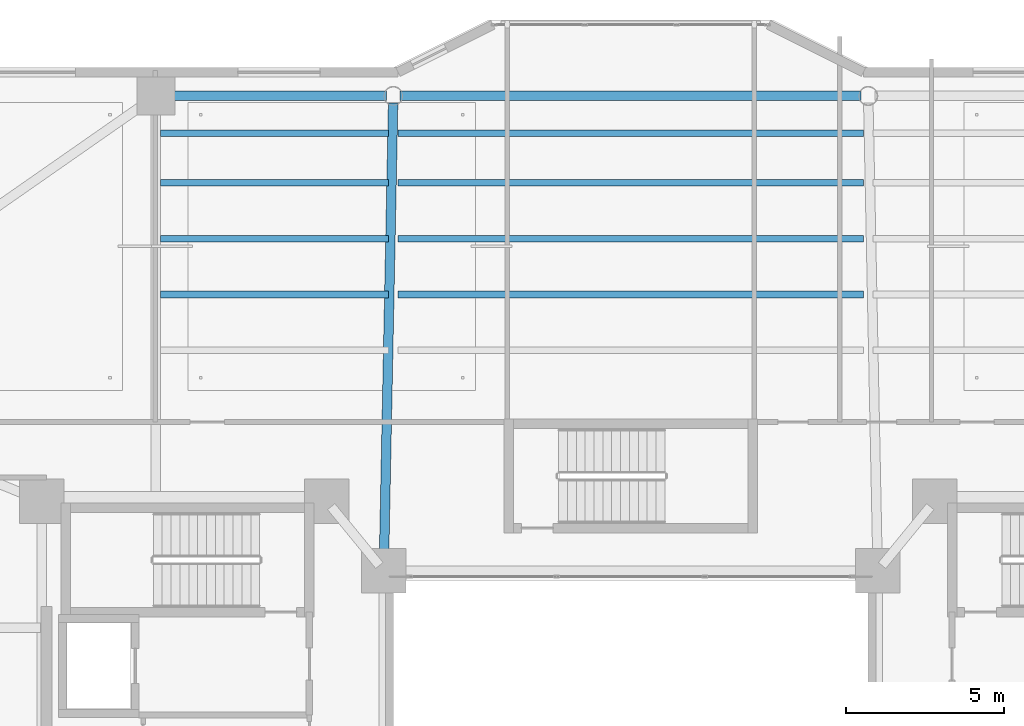
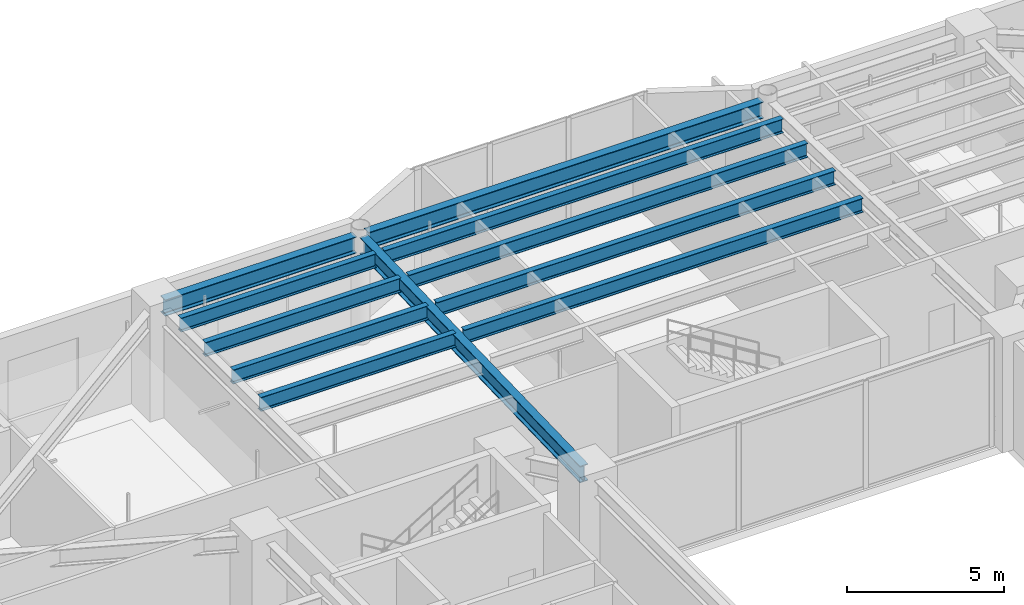
# One storey, part 22 of 39: 11 beams.
"""IFC4 building model written with IfcOpenShell, lengths in metres."""

from ifc_helpers import new_model, si_unit, direction, frame, origin, origin_2d, place, context, subcontext, project, spatial, i_section, extrude, material, material_profile, profile_set, type_object, element, save


model = new_model("IFC4")

# Units and contexts
model_context = context("Model", 3, precision=1e-05, world=origin(), true_north=direction((0.0, 1.0)))
body_context = subcontext(model_context, "Body", "Model", "MODEL_VIEW")
ifc_project = project(units=[si_unit("LENGTHUNIT", "METRE"), si_unit("AREAUNIT", "SQUARE_METRE"), si_unit("VOLUMEUNIT", "CUBIC_METRE"), si_unit("PLANEANGLEUNIT", "RADIAN"), si_unit("MASSUNIT", "GRAM", prefix="KILO")], contexts=[model_context])

# Site, building, storey
site_placement = place(None, origin())
site = spatial("IfcSite", under=ifc_project, at=site_placement, CompositionType="ELEMENT")
building_placement = place(site_placement, origin())
building = spatial("IfcBuilding", under=site, at=building_placement, Name="Tarnavaz Court Tower", CompositionType="ELEMENT")
storey_placement = place(building_placement, frame((0.0, 0.0, 68.699951171875)))
storey = spatial("IfcBuildingStorey", under=building, at=storey_placement, Name="L18", CompositionType="ELEMENT", Elevation=68.699951171875)

# Beams
ifc_material = material(Name="Steel S355", Category="steel")
ifc_material_profile_1 = material_profile(ifc_material, i_section(OverallWidth=0.300048828125, OverallDepth=0.64990234375, WebThickness=0.01611328125, FlangeThickness=0.031005859375, FilletRadius=0.027099609375, at=origin_2d()), Name="HEB 650")
ifc_profile_set_1 = profile_set([ifc_material_profile_1], Name="Steel S355")
beam_type_1 = type_object("IfcBeamType", Name="BM-G-HEB650", PredefinedType="USERDEFINED", material=ifc_profile_set_1)
beam_1_placement = place(storey_placement, frame((-7.795654296875, 8.02001953125, 3.875), z_axis=(0.020000023066, 0.999799979535, 0.0), x_axis=(-0.999799979535, 0.020000023066, 0.0)))
element("IfcBeam", 1, at=beam_1_placement, inside=storey, type_object=beam_type_1, Name="L18 Beam RG-02", ObjectType="GIRDER", PredefinedType="USERDEFINED", context=body_context, shape_type="SweptSolid", body=[
    extrude(i_section(OverallWidth=0.300048828125, OverallDepth=0.64990234375, WebThickness=0.01611328125, FlangeThickness=0.031005859375, FilletRadius=0.027099609375, at=origin_2d()), origin(), (0.0, 0.0, 1.0), 14.56298828125),
])
ifc_material_profile_2 = material_profile(ifc_material, i_section(OverallWidth=0.2099609375, OverallDepth=0.550048828125, WebThickness=0.010986328125, FlangeThickness=0.01708984375, FilletRadius=0.02392578125, at=origin_2d()), Name="IPE 550")
ifc_profile_set_2 = profile_set([ifc_material_profile_2], Name="Steel S355")
beam_type_2 = type_object("IfcBeamType", Name="BM-J-IPE550", PredefinedType="JOIST", material=ifc_profile_set_2)
beam_2_placement = place(storey_placement, frame((-14.85009765625, 16.528076171875, 3.925048828125), z_axis=(1.0, 0.0, 0.0), x_axis=(0.0, 1.0, 0.0)))
element("IfcBeam", 2, at=beam_2_placement, inside=storey, type_object=beam_type_2, Name="L18 Beam JN2-1", PredefinedType="JOIST", context=body_context, shape_type="SweptSolid", body=[
    extrude(i_section(OverallWidth=0.2099609375, OverallDepth=0.550048828125, WebThickness=0.010986328125, FlangeThickness=0.01708984375, FilletRadius=0.02392578125, at=origin_2d()), origin(), (0.0, 0.0, 1.0), 7.2001953125),
])
beam_3_placement = place(storey_placement, frame((-7.35009765625, 16.528076171875, 3.925048828125), z_axis=(1.0, 0.0, 0.0), x_axis=(0.0, 1.0, 0.0)))
element("IfcBeam", 3, at=beam_3_placement, inside=storey, type_object=beam_type_2, Name="L18 Beam JN2-2", PredefinedType="JOIST", context=body_context, shape_type="SweptSolid", body=[
    extrude(i_section(OverallWidth=0.2099609375, OverallDepth=0.550048828125, WebThickness=0.010986328125, FlangeThickness=0.01708984375, FilletRadius=0.02392578125, at=origin_2d()), origin(), (0.0, 0.0, 1.0), 14.7001953125),
])
beam_4_placement = place(storey_placement, frame((-14.85009765625, 18.2919921875, 3.925048828125), z_axis=(1.0, 0.0, 0.0), x_axis=(0.0, 1.0, 0.0)))
element("IfcBeam", 4, at=beam_4_placement, inside=storey, type_object=beam_type_2, Name="L18 Beam JN3-1", PredefinedType="JOIST", context=body_context, shape_type="SweptSolid", body=[
    extrude(i_section(OverallWidth=0.2099609375, OverallDepth=0.550048828125, WebThickness=0.010986328125, FlangeThickness=0.01708984375, FilletRadius=0.02392578125, at=origin_2d()), origin(), (0.0, 0.0, 1.0), 7.2001953125),
])
beam_5_placement = place(storey_placement, frame((-7.35009765625, 18.2919921875, 3.925048828125), z_axis=(1.0, 0.0, 0.0), x_axis=(0.0, 1.0, 0.0)))
element("IfcBeam", 5, at=beam_5_placement, inside=storey, type_object=beam_type_2, Name="L18 Beam JN3-2", PredefinedType="JOIST", context=body_context, shape_type="SweptSolid", body=[
    extrude(i_section(OverallWidth=0.2099609375, OverallDepth=0.550048828125, WebThickness=0.010986328125, FlangeThickness=0.01708984375, FilletRadius=0.02392578125, at=origin_2d()), origin(), (0.0, 0.0, 1.0), 14.7001953125),
])
beam_6_placement = place(storey_placement, frame((-14.85009765625, 20.055908203125, 3.925048828125), z_axis=(1.0, 0.0, 0.0), x_axis=(0.0, 1.0, 0.0)))
element("IfcBeam", 6, at=beam_6_placement, inside=storey, type_object=beam_type_2, Name="L18 Beam JN4-1", PredefinedType="JOIST", context=body_context, shape_type="SweptSolid", body=[
    extrude(i_section(OverallWidth=0.2099609375, OverallDepth=0.550048828125, WebThickness=0.010986328125, FlangeThickness=0.01708984375, FilletRadius=0.02392578125, at=origin_2d()), origin(), (0.0, 0.0, 1.0), 7.2001953125),
])
beam_7_placement = place(storey_placement, frame((-7.35009765625, 20.055908203125, 3.925048828125), z_axis=(1.0, 0.0, 0.0), x_axis=(0.0, 1.0, 0.0)))
element("IfcBeam", 7, at=beam_7_placement, inside=storey, type_object=beam_type_2, Name="L18 Beam JN4-2", PredefinedType="JOIST", context=body_context, shape_type="SweptSolid", body=[
    extrude(i_section(OverallWidth=0.2099609375, OverallDepth=0.550048828125, WebThickness=0.010986328125, FlangeThickness=0.01708984375, FilletRadius=0.02392578125, at=origin_2d()), origin(), (0.0, 0.0, 1.0), 14.7001953125),
])
beam_8_placement = place(storey_placement, frame((-14.85009765625, 21.6240234375, 3.925048828125), z_axis=(1.0, 0.0, 0.0), x_axis=(0.0, 1.0, 0.0)))
element("IfcBeam", 8, at=beam_8_placement, inside=storey, type_object=beam_type_2, Name="L18 Beam JN5-1", PredefinedType="JOIST", context=body_context, shape_type="SweptSolid", body=[
    extrude(i_section(OverallWidth=0.2099609375, OverallDepth=0.550048828125, WebThickness=0.010986328125, FlangeThickness=0.01708984375, FilletRadius=0.02392578125, at=origin_2d()), origin(), (0.0, 0.0, 1.0), 7.2001953125),
])
beam_9_placement = place(storey_placement, frame((-7.35009765625, 21.6240234375, 3.925048828125), z_axis=(1.0, 0.0, 0.0), x_axis=(0.0, 1.0, 0.0)))
element("IfcBeam", 9, at=beam_9_placement, inside=storey, type_object=beam_type_2, Name="L18 Beam JN5-2", PredefinedType="JOIST", context=body_context, shape_type="SweptSolid", body=[
    extrude(i_section(OverallWidth=0.2099609375, OverallDepth=0.550048828125, WebThickness=0.010986328125, FlangeThickness=0.01708984375, FilletRadius=0.02392578125, at=origin_2d()), origin(), (0.0, 0.0, 1.0), 14.7001953125),
])
ifc_material_profile_3 = material_profile(ifc_material, i_section(OverallWidth=0.300048828125, OverallDepth=0.639892578125, WebThickness=0.013427734375, FlangeThickness=0.02587890625, FilletRadius=0.027099609375, at=origin_2d()), Name="HEA 650")
ifc_profile_set_3 = profile_set([ifc_material_profile_3], Name="Steel S355")
beam_type_3 = type_object("IfcBeamType", Name="BM-SP-HEA650", PredefinedType="SPANDREL", material=ifc_profile_set_3)
beam_10_placement = place(storey_placement, frame((-14.780029296875, 22.800048828125, 3.880126953125), z_axis=(1.0, 0.0, 0.0), x_axis=(0.0, 1.0, 0.0)))
element("IfcBeam", 10, at=beam_10_placement, inside=storey, type_object=beam_type_3, Name="L18 Beam PR-PN-1-PN-2", PredefinedType="SPANDREL", context=body_context, shape_type="SweptSolid", body=[
    extrude(i_section(OverallWidth=0.300048828125, OverallDepth=0.639892578125, WebThickness=0.013427734375, FlangeThickness=0.02587890625, FilletRadius=0.027099609375, at=origin_2d()), origin(), (0.0, 0.0, 1.0), 7.06005859375),
])
beam_11_placement = place(storey_placement, frame((-7.280029296875, 22.800048828125, 3.880126953125), z_axis=(1.0, 0.0, 0.0), x_axis=(0.0, 1.0, 0.0)))
element("IfcBeam", 11, at=beam_11_placement, inside=storey, type_object=beam_type_3, Name="L18 Beam PR-PN-2-PN-3", PredefinedType="SPANDREL", context=body_context, shape_type="SweptSolid", body=[
    extrude(i_section(OverallWidth=0.300048828125, OverallDepth=0.639892578125, WebThickness=0.013427734375, FlangeThickness=0.02587890625, FilletRadius=0.027099609375, at=origin_2d()), origin(), (0.0, 0.0, 1.0), 14.56005859375),
])

save(model, "model.ifc")
